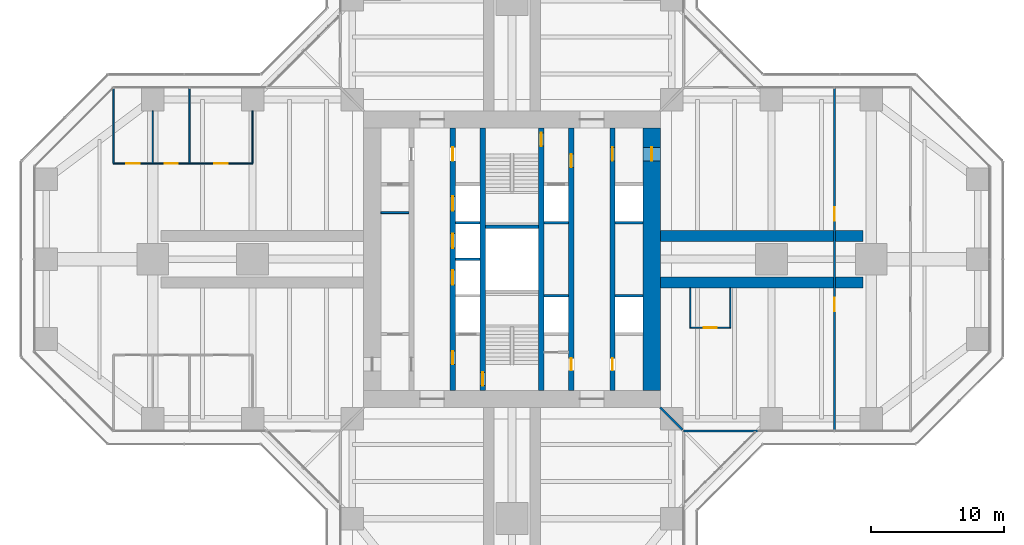
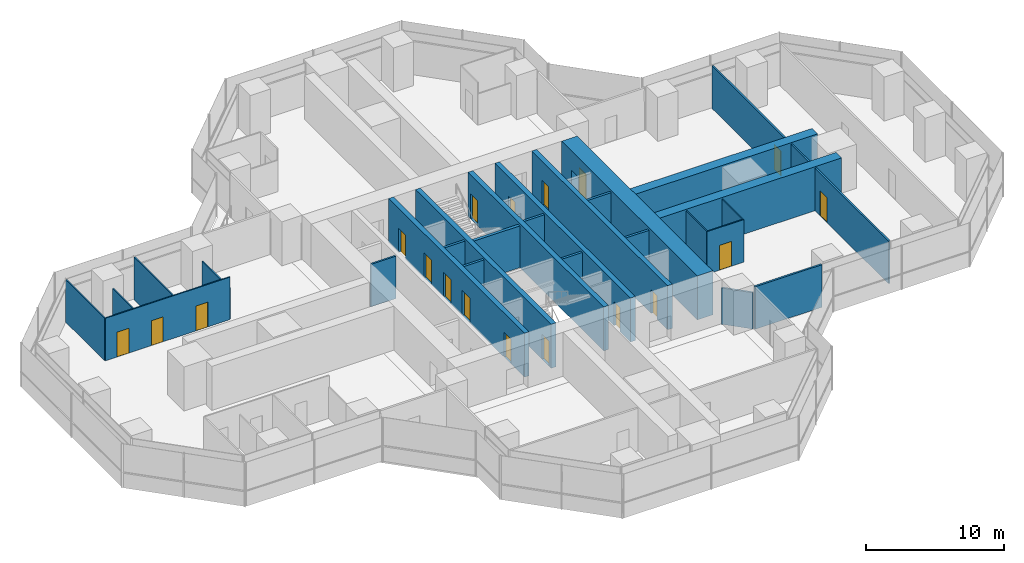
# One storey, part 16 of 20: 27 walls, 18 doors, 18 openings.
"""IFC4 building model written with IfcOpenShell, lengths in metres."""

from ifc_helpers import new_model, si_unit, direction, frame, frame_2d, origin, place, context, subcontext, project, spatial, rectangle, extrude, material, layer, layer_set, type_object, element, fill, save


model = new_model("IFC4")

# Units and contexts
model_context = context("Model", 3, precision=1e-05, world=origin(), true_north=direction((0.0, 1.0)))
body_context = subcontext(model_context, "Body", "Model", "MODEL_VIEW")
ifc_project = project(units=[si_unit("LENGTHUNIT", "METRE"), si_unit("AREAUNIT", "SQUARE_METRE"), si_unit("VOLUMEUNIT", "CUBIC_METRE"), si_unit("PLANEANGLEUNIT", "RADIAN"), si_unit("MASSUNIT", "GRAM", prefix="KILO")], contexts=[model_context])

# Site, building, storey
site_placement = place(None, origin())
site = spatial("IfcSite", under=ifc_project, at=site_placement, CompositionType="ELEMENT")
building_placement = place(site_placement, origin())
building = spatial("IfcBuilding", under=site, at=building_placement, Name="Mizan Broadcast Tower", CompositionType="ELEMENT")
storey_placement = place(building_placement, frame((0.0, 0.0, 174.89990234375)))
storey = spatial("IfcBuildingStorey", under=building, at=storey_placement, Name="L40", CompositionType="ELEMENT", Elevation=174.89990234375)

# Wall, openings, doors
ifc_material_1 = material(Name="Concrete C70/85", Category="concrete")
ifc_layer_1 = layer(ifc_material_1, 0.39990234375)
ifc_layer_set_1 = layer_set([ifc_layer_1], Name="Concrete C70/85")
wall_type_1 = type_object("IfcWallType", Name="CORE INTERNAL WALL 400", PredefinedType="SHEAR", material=ifc_layer_set_1)
wall_1_placement = place(storey_placement, frame((7.550048828125, 9.85009765625, 0.0), z_axis=(0.0, 0.0, 1.0), x_axis=(0.0, -1.0, 0.0)))
wall_1 = element("IfcWall", 1, at=wall_1_placement, inside=storey, type_object=wall_type_1, Name="Core wall CORE/XW1E", PredefinedType="SHEAR", context=body_context, shape_type="SweptSolid", body=[
    extrude(rectangle(XDim=19.7001953125, YDim=0.39990234375, at=frame_2d((9.85009765625, 0.0))), origin(), (0.0, 0.0, 1.0), 3.900146484375),
])
opening_1_placement = place(wall_1_placement, frame((1.449951171875, 0.0, 0.0)))
opening_1 = element("IfcOpeningElement", 2, at=opening_1_placement, cuts=wall_1, Name="Opening D10F", PredefinedType="OPENING", context=body_context, shape_type="SweptSolid", body=[
    extrude(rectangle(XDim=1.0, YDim=2.199951171875, at=frame_2d((0.5, 1.10009765625))), frame((0.0, 0.2099609375, 0.0), z_axis=(0.0, -1.0, 0.0), x_axis=(1.0, 0.0, 0.0)), (0.0, 0.0, 1.0), 0.419921875),
])
opening_2_placement = place(wall_1_placement, frame((17.300048828125, 0.0, 0.0)))
opening_2 = element("IfcOpeningElement", 3, at=opening_2_placement, cuts=wall_1, Name="Opening D09", PredefinedType="OPENING", context=body_context, shape_type="SweptSolid", body=[
    extrude(rectangle(XDim=0.89990234375, YDim=2.10009765625, at=frame_2d((0.449951171875, 1.050048828125))), frame((0.0, 0.2099609375, 0.0), z_axis=(0.0, -1.0, 0.0), x_axis=(1.0, 0.0, 0.0)), (0.0, 0.0, 1.0), 0.419921875),
])
ifc_material_2 = material(Name="Steel door leaf in steel frame", Category="steel")
door_type_1 = type_object("IfcDoorType", Name="FIRE DOOR 1000 FD90", OperationType="SINGLE_SWING_LEFT", PredefinedType="DOOR", material=ifc_material_2)
door_1_placement = place(opening_1_placement, origin())
door_1 = element("IfcDoor", 4, at=door_1_placement, inside=storey, type_object=door_type_1, Name="East core passage door", OperationType="SINGLE_SWING_LEFT", OverallHeight=2.199951171875, OverallWidth=1.0, PredefinedType="DOOR", context=body_context, shape_type="SweptSolid", body=[
    extrude(rectangle(XDim=1.0, YDim=2.199951171875, at=frame_2d((0.5, 1.10009765625))), frame((0.0, 0.02490234375, 0.0), z_axis=(0.0, -1.0, 0.0), x_axis=(1.0, 0.0, 0.0)), (0.0, 0.0, 1.0), 0.050048828125),
])
fill(opening_1, door_1)
ifc_material_3 = material(Name="Timber door leaf in aluminium frame", Category="wood")
door_type_2 = type_object("IfcDoorType", Name="TOILET DOOR 900", OperationType="SINGLE_SWING_LEFT", PredefinedType="DOOR", material=ifc_material_3)
door_2_placement = place(opening_2_placement, origin())
door_2 = element("IfcDoor", 5, at=door_2_placement, inside=storey, type_object=door_type_2, Name="Female WC door", OperationType="SINGLE_SWING_RIGHT", OverallHeight=2.10009765625, OverallWidth=0.89990234375, PredefinedType="DOOR", context=body_context, shape_type="SweptSolid", body=[
    extrude(rectangle(XDim=0.89990234375, YDim=2.10009765625, at=frame_2d((0.449951171875, 1.050048828125))), frame((0.0, 0.02490234375, 0.0), z_axis=(0.0, -1.0, 0.0), x_axis=(1.0, 0.0, 0.0)), (0.0, 0.0, 1.0), 0.050048828125),
])
fill(opening_2, door_2)

wall_2_placement = place(storey_placement, frame((-4.449951171875, -9.85009765625, 0.0), z_axis=(0.0, 0.0, 1.0), x_axis=(0.0, 1.0, 0.0)))
wall_2 = element("IfcWall", 6, at=wall_2_placement, inside=storey, type_object=wall_type_1, Name="Core wall CORE/XWH", PredefinedType="SHEAR", context=body_context, shape_type="SweptSolid", body=[
    extrude(rectangle(XDim=19.7001953125, YDim=0.39990234375, at=frame_2d((9.85009765625, 0.0))), origin(), (0.0, 0.0, 1.0), 3.900146484375),
])
opening_3_placement = place(wall_2_placement, frame((1.949951171875, 0.0, 0.0)))
opening_3 = element("IfcOpeningElement", 7, at=opening_3_placement, cuts=wall_2, Name="Opening D10F", PredefinedType="OPENING", context=body_context, shape_type="SweptSolid", body=[
    extrude(rectangle(XDim=1.0, YDim=2.199951171875, at=frame_2d((0.5, 1.10009765625))), frame((0.0, 0.2099609375, 0.0), z_axis=(0.0, -1.0, 0.0), x_axis=(1.0, 0.0, 0.0)), (0.0, 0.0, 1.0), 0.419921875),
])
opening_4_placement = place(wall_2_placement, frame((17.25, 0.0, 0.0)))
opening_4 = element("IfcOpeningElement", 8, at=opening_4_placement, cuts=wall_2, Name="Opening D10A", PredefinedType="OPENING", context=body_context, shape_type="SweptSolid", body=[
    extrude(rectangle(XDim=1.0, YDim=2.10009765625, at=frame_2d((0.5, 1.050048828125))), frame((0.0, 0.2099609375, 0.0), z_axis=(0.0, -1.0, 0.0), x_axis=(1.0, 0.0, 0.0)), (0.0, 0.0, 1.0), 0.419921875),
])
opening_5_placement = place(wall_2_placement, frame((7.925048828125, 0.0, 0.0)))
opening_5 = element("IfcOpeningElement", 9, at=opening_5_placement, cuts=wall_2, Name="Opening LD", PredefinedType="OPENING", context=body_context, shape_type="SweptSolid", body=[
    extrude(rectangle(XDim=1.10009765625, YDim=2.199951171875, at=frame_2d((0.550048828125, 1.10009765625))), frame((0.0, 0.2099609375, 0.0), z_axis=(0.0, -1.0, 0.0), x_axis=(1.0, 0.0, 0.0)), (0.0, 0.0, 1.0), 0.419921875),
])
opening_6_placement = place(wall_2_placement, frame((10.675048828125, 0.0, 0.0)))
opening_6 = element("IfcOpeningElement", 10, at=opening_6_placement, cuts=wall_2, Name="Opening LD", PredefinedType="OPENING", context=body_context, shape_type="SweptSolid", body=[
    extrude(rectangle(XDim=1.10009765625, YDim=2.199951171875, at=frame_2d((0.550048828125, 1.10009765625))), frame((0.0, 0.2099609375, 0.0), z_axis=(0.0, -1.0, 0.0), x_axis=(1.0, 0.0, 0.0)), (0.0, 0.0, 1.0), 0.419921875),
])
opening_7_placement = place(wall_2_placement, frame((13.47509765625, 0.0, 0.0)))
opening_7 = element("IfcOpeningElement", 11, at=opening_7_placement, cuts=wall_2, Name="Opening LD", PredefinedType="OPENING", context=body_context, shape_type="SweptSolid", body=[
    extrude(rectangle(XDim=1.10009765625, YDim=2.199951171875, at=frame_2d((0.550048828125, 1.10009765625))), frame((0.0, 0.2099609375, 0.0), z_axis=(0.0, -1.0, 0.0), x_axis=(1.0, 0.0, 0.0)), (0.0, 0.0, 1.0), 0.419921875),
])
ifc_material_4 = material(Name="Timber door leaf in aluminium frame", Category="wood")
door_type_3 = type_object("IfcDoorType", Name="ACCESSIBLE WC DOOR 1000", OperationType="SLIDING_TO_LEFT", PredefinedType="DOOR", material=ifc_material_4)
door_3_placement = place(opening_4_placement, origin())
door_3 = element("IfcDoor", 12, at=door_3_placement, inside=storey, type_object=door_type_3, Name="Accessible WC door", OperationType="SLIDING_TO_LEFT", OverallHeight=2.10009765625, OverallWidth=1.0, PredefinedType="DOOR", context=body_context, shape_type="SweptSolid", body=[
    extrude(rectangle(XDim=1.0, YDim=2.10009765625, at=frame_2d((0.5, 1.050048828125))), frame((0.0, 0.02490234375, 0.0), z_axis=(0.0, -1.0, 0.0), x_axis=(1.0, 0.0, 0.0)), (0.0, 0.0, 1.0), 0.050048828125),
])
fill(opening_4, door_3)
door_4_placement = place(opening_3_placement, origin())
door_4 = element("IfcDoor", 13, at=door_4_placement, inside=storey, type_object=door_type_1, Name="Firefighting lobby A door", OperationType="SINGLE_SWING_LEFT", OverallHeight=2.199951171875, OverallWidth=1.0, PredefinedType="DOOR", context=body_context, shape_type="SweptSolid", body=[
    extrude(rectangle(XDim=1.0, YDim=2.199951171875, at=frame_2d((0.5, 1.10009765625))), frame((0.0, 0.02490234375, 0.0), z_axis=(0.0, -1.0, 0.0), x_axis=(1.0, 0.0, 0.0)), (0.0, 0.0, 1.0), 0.050048828125),
])
fill(opening_3, door_4)
ifc_material_5 = material(Name="Steel door leaf in steel frame", Category="steel")
door_type_4 = type_object("IfcDoorType", Name="LIFT LANDING DOOR 1100", OperationType="SLIDING_TO_LEFT", PredefinedType="DOOR", material=ifc_material_5)
door_5_placement = place(opening_5_placement, origin())
door_5 = element("IfcDoor", 14, at=door_5_placement, inside=storey, type_object=door_type_4, Name="Landing door LB1", OperationType="SLIDING_TO_LEFT", OverallHeight=2.199951171875, OverallWidth=1.10009765625, PredefinedType="DOOR", context=body_context, shape_type="SweptSolid", body=[
    extrude(rectangle(XDim=1.10009765625, YDim=2.199951171875, at=frame_2d((0.550048828125, 1.10009765625))), frame((0.0, 0.02490234375, 0.0), z_axis=(0.0, -1.0, 0.0), x_axis=(1.0, 0.0, 0.0)), (0.0, 0.0, 1.0), 0.050048828125),
])
fill(opening_5, door_5)
door_6_placement = place(opening_6_placement, origin())
door_6 = element("IfcDoor", 15, at=door_6_placement, inside=storey, type_object=door_type_4, Name="Landing door LB2", OperationType="SLIDING_TO_LEFT", OverallHeight=2.199951171875, OverallWidth=1.10009765625, PredefinedType="DOOR", context=body_context, shape_type="SweptSolid", body=[
    extrude(rectangle(XDim=1.10009765625, YDim=2.199951171875, at=frame_2d((0.550048828125, 1.10009765625))), frame((0.0, 0.02490234375, 0.0), z_axis=(0.0, -1.0, 0.0), x_axis=(1.0, 0.0, 0.0)), (0.0, 0.0, 1.0), 0.050048828125),
])
fill(opening_6, door_6)
door_7_placement = place(opening_7_placement, origin())
door_7 = element("IfcDoor", 16, at=door_7_placement, inside=storey, type_object=door_type_4, Name="Landing door LB3", OperationType="SLIDING_TO_LEFT", OverallHeight=2.199951171875, OverallWidth=1.10009765625, PredefinedType="DOOR", context=body_context, shape_type="SweptSolid", body=[
    extrude(rectangle(XDim=1.10009765625, YDim=2.199951171875, at=frame_2d((0.550048828125, 1.10009765625))), frame((0.0, 0.02490234375, 0.0), z_axis=(0.0, -1.0, 0.0), x_axis=(1.0, 0.0, 0.0)), (0.0, 0.0, 1.0), 0.050048828125),
])
fill(opening_7, door_7)

wall_3_placement = place(storey_placement, frame((4.449951171875, 9.85009765625, 0.0), z_axis=(0.0, 0.0, 1.0), x_axis=(0.0, -1.0, 0.0)))
wall_3 = element("IfcWall", 17, at=wall_3_placement, inside=storey, type_object=wall_type_1, Name="Core wall CORE/XWHE", PredefinedType="SHEAR", context=body_context, shape_type="SweptSolid", body=[
    extrude(rectangle(XDim=19.7001953125, YDim=0.39990234375, at=frame_2d((9.85009765625, 0.0))), origin(), (0.0, 0.0, 1.0), 3.900146484375),
])
opening_8_placement = place(wall_3_placement, frame((1.949951171875, 0.0, 0.0)))
opening_8 = element("IfcOpeningElement", 18, at=opening_8_placement, cuts=wall_3, Name="Opening D10F", PredefinedType="OPENING", context=body_context, shape_type="SweptSolid", body=[
    extrude(rectangle(XDim=1.0, YDim=2.199951171875, at=frame_2d((0.5, 1.10009765625))), frame((0.0, 0.2099609375, 0.0), z_axis=(0.0, -1.0, 0.0), x_axis=(1.0, 0.0, 0.0)), (0.0, 0.0, 1.0), 0.419921875),
])
opening_9_placement = place(wall_3_placement, frame((17.300048828125, 0.0, 0.0)))
opening_9 = element("IfcOpeningElement", 19, at=opening_9_placement, cuts=wall_3, Name="Opening D09", PredefinedType="OPENING", context=body_context, shape_type="SweptSolid", body=[
    extrude(rectangle(XDim=0.89990234375, YDim=2.10009765625, at=frame_2d((0.449951171875, 1.050048828125))), frame((0.0, 0.2099609375, 0.0), z_axis=(0.0, -1.0, 0.0), x_axis=(1.0, 0.0, 0.0)), (0.0, 0.0, 1.0), 0.419921875),
])
door_8_placement = place(opening_8_placement, origin())
door_8 = element("IfcDoor", 20, at=door_8_placement, inside=storey, type_object=door_type_1, Name="Firefighting lobby B door", OperationType="SINGLE_SWING_LEFT", OverallHeight=2.199951171875, OverallWidth=1.0, PredefinedType="DOOR", context=body_context, shape_type="SweptSolid", body=[
    extrude(rectangle(XDim=1.0, YDim=2.199951171875, at=frame_2d((0.5, 1.10009765625))), frame((0.0, 0.02490234375, 0.0), z_axis=(0.0, -1.0, 0.0), x_axis=(1.0, 0.0, 0.0)), (0.0, 0.0, 1.0), 0.050048828125),
])
fill(opening_8, door_8)
door_9_placement = place(opening_9_placement, origin())
door_9 = element("IfcDoor", 21, at=door_9_placement, inside=storey, type_object=door_type_2, Name="Cleaner's store door", OperationType="SINGLE_SWING_RIGHT", OverallHeight=2.10009765625, OverallWidth=0.89990234375, PredefinedType="DOOR", context=body_context, shape_type="SweptSolid", body=[
    extrude(rectangle(XDim=0.89990234375, YDim=2.10009765625, at=frame_2d((0.449951171875, 1.050048828125))), frame((0.0, 0.02490234375, 0.0), z_axis=(0.0, -1.0, 0.0), x_axis=(1.0, 0.0, 0.0)), (0.0, 0.0, 1.0), 0.050048828125),
])
fill(opening_9, door_9)

# Wall, opening, door
wall_4_placement = place(storey_placement, frame((-2.199951171875, -9.85009765625, 0.0), z_axis=(0.0, 0.0, 1.0), x_axis=(0.0, 1.0, 0.0)))
wall_4 = element("IfcWall", 22, at=wall_4_placement, inside=storey, type_object=wall_type_1, Name="Core wall CORE/XW2", PredefinedType="SHEAR", context=body_context, shape_type="SweptSolid", body=[
    extrude(rectangle(XDim=19.7001953125, YDim=0.39990234375, at=frame_2d((9.85009765625, 0.0))), origin(), (0.0, 0.0, 1.0), 3.900146484375),
])
opening_10_placement = place(wall_4_placement, frame((0.35009765625, 0.0, 0.0)))
opening_10 = element("IfcOpeningElement", 23, at=opening_10_placement, cuts=wall_4, Name="Opening D10S", PredefinedType="OPENING", context=body_context, shape_type="SweptSolid", body=[
    extrude(rectangle(XDim=1.0, YDim=2.199951171875, at=frame_2d((0.5, 1.10009765625))), frame((0.0, 0.2099609375, 0.0), z_axis=(0.0, -1.0, 0.0), x_axis=(1.0, 0.0, 0.0)), (0.0, 0.0, 1.0), 0.419921875),
])
ifc_material_6 = material(Name="Steel door leaf in steel frame", Category="steel")
door_type_5 = type_object("IfcDoorType", Name="STAIR DOOR 1000 FD90S", OperationType="SINGLE_SWING_RIGHT", PredefinedType="DOOR", material=ifc_material_6)
door_10_placement = place(opening_10_placement, origin())
door_10 = element("IfcDoor", 24, at=door_10_placement, inside=storey, type_object=door_type_5, Name="Stair A door", OperationType="SINGLE_SWING_RIGHT", OverallHeight=2.199951171875, OverallWidth=1.0, PredefinedType="DOOR", context=body_context, shape_type="SweptSolid", body=[
    extrude(rectangle(XDim=1.0, YDim=2.199951171875, at=frame_2d((0.5, 1.10009765625))), frame((0.0, 0.02490234375, 0.0), z_axis=(0.0, -1.0, 0.0), x_axis=(1.0, 0.0, 0.0)), (0.0, 0.0, 1.0), 0.050048828125),
])
fill(opening_10, door_10)

wall_5_placement = place(storey_placement, frame((2.199951171875, 9.85009765625, 0.0), z_axis=(0.0, 0.0, 1.0), x_axis=(0.0, -1.0, 0.0)))
wall_5 = element("IfcWall", 25, at=wall_5_placement, inside=storey, type_object=wall_type_1, Name="Core wall CORE/XW2E", PredefinedType="SHEAR", context=body_context, shape_type="SweptSolid", body=[
    extrude(rectangle(XDim=19.7001953125, YDim=0.39990234375, at=frame_2d((9.85009765625, 0.0))), origin(), (0.0, 0.0, 1.0), 3.900146484375),
])
opening_11_placement = place(wall_5_placement, frame((0.35009765625, 0.0, 0.0)))
opening_11 = element("IfcOpeningElement", 26, at=opening_11_placement, cuts=wall_5, Name="Opening D10S", PredefinedType="OPENING", context=body_context, shape_type="SweptSolid", body=[
    extrude(rectangle(XDim=1.0, YDim=2.199951171875, at=frame_2d((0.5, 1.10009765625))), frame((0.0, 0.2099609375, 0.0), z_axis=(0.0, -1.0, 0.0), x_axis=(1.0, 0.0, 0.0)), (0.0, 0.0, 1.0), 0.419921875),
])
door_11_placement = place(opening_11_placement, origin())
door_11 = element("IfcDoor", 27, at=door_11_placement, inside=storey, type_object=door_type_5, Name="Stair B door", OperationType="SINGLE_SWING_RIGHT", OverallHeight=2.199951171875, OverallWidth=1.0, PredefinedType="DOOR", context=body_context, shape_type="SweptSolid", body=[
    extrude(rectangle(XDim=1.0, YDim=2.199951171875, at=frame_2d((0.5, 1.10009765625))), frame((0.0, 0.02490234375, 0.0), z_axis=(0.0, -1.0, 0.0), x_axis=(1.0, 0.0, 0.0)), (0.0, 0.0, 1.0), 0.050048828125),
])
fill(opening_11, door_11)

# Wall
ifc_material_7 = material(Name="Concrete blockwork", Category="masonry")
ifc_layer_2 = layer(ifc_material_7, 0.14990234375)
ifc_layer_set_2 = layer_set([ifc_layer_2], Name="Concrete blockwork")
wall_type_2 = type_object("IfcWallType", Name="CORE PARTITION 150", PredefinedType="SOLIDWALL", material=ifc_layer_set_2)
wall_6_placement = place(storey_placement, frame((-9.85009765625, 3.5, 0.0), z_axis=(0.0, 0.0, 1.0), x_axis=(1.0, 0.0, 0.0)))
element("IfcWall", 28, at=wall_6_placement, inside=storey, type_object=wall_type_2, Name="Core partition CORE/XP1", PredefinedType="SOLIDWALL", context=body_context, shape_type="SweptSolid", body=[
    extrude(rectangle(XDim=2.10009765625, YDim=0.14990234375, at=frame_2d((1.050048828125, 0.0))), origin(), (0.0, 0.0, 1.0), 3.77001953125),
])

# Wall, opening, door
ifc_material_8 = material(Name="Concrete C70/85", Category="concrete")
ifc_layer_3 = layer(ifc_material_8, 1.300048828125)
ifc_layer_set_3 = layer_set([ifc_layer_3], Name="Concrete C70/85")
wall_type_3 = type_object("IfcWallType", Name="CORE WALL 1300", PredefinedType="SHEAR", material=ifc_layer_set_3)
wall_7_placement = place(storey_placement, frame((10.5, -9.85009765625, 0.0), z_axis=(0.0, 0.0, 1.0), x_axis=(0.0, 1.0, 0.0)))
wall_7 = element("IfcWall", 29, at=wall_7_placement, inside=storey, type_object=wall_type_3, Name="Core wall E L40", PredefinedType="SHEAR", context=body_context, shape_type="SweptSolid", body=[
    extrude(rectangle(XDim=19.7001953125, YDim=1.300048828125, at=frame_2d((9.85009765625, 0.0))), origin(), (0.0, 0.0, 1.0), 3.900146484375),
])
opening_12_placement = place(wall_7_placement, frame((17.25, 0.0, 0.0)))
opening_12 = element("IfcOpeningElement", 30, at=opening_12_placement, cuts=wall_7, Name="Opening D10F", PredefinedType="OPENING", context=body_context, shape_type="SweptSolid", body=[
    extrude(rectangle(XDim=1.0, YDim=2.199951171875, at=frame_2d((0.5, 1.10009765625))), frame((0.0, 0.659912109375, 0.0), z_axis=(0.0, -1.0, 0.0), x_axis=(1.0, 0.0, 0.0)), (0.0, 0.0, 1.0), 1.320068359375),
])
door_12_placement = place(opening_12_placement, origin())
door_12 = element("IfcDoor", 31, at=door_12_placement, inside=storey, type_object=door_type_1, Name="East core passage arm door", OperationType="SINGLE_SWING_RIGHT", OverallHeight=2.199951171875, OverallWidth=1.0, PredefinedType="DOOR", context=body_context, shape_type="SweptSolid", body=[
    extrude(rectangle(XDim=1.0, YDim=2.199951171875, at=frame_2d((0.5, 1.10009765625))), frame((0.0, 0.02490234375, 0.0), z_axis=(0.0, -1.0, 0.0), x_axis=(1.0, 0.0, 0.0)), (0.0, 0.0, 1.0), 0.050048828125),
])
fill(opening_12, door_12)

# Walls
ifc_material_9 = material(Name="Aluminium framed glazed screen", Category="aluminium")
ifc_layer_4 = layer(ifc_material_9, 0.159912109375)
ifc_layer_set_4 = layer_set([ifc_layer_4], Name="Aluminium framed glazed screen")
wall_type_4 = type_object("IfcWallType", Name="GLAZED SCREEN WALL 160", PredefinedType="SOLIDWALL", material=ifc_layer_set_4)
wall_8_placement = place(storey_placement, frame((12.89990234375, -12.89990234375, 0.0), z_axis=(0.0, 0.0, 1.0), x_axis=(1.0, 0.0, 0.0)))
element("IfcWall", 32, at=wall_8_placement, inside=storey, type_object=wall_type_4, Name="Winter garden screen L40 E", PredefinedType="SOLIDWALL", context=body_context, shape_type="SweptSolid", body=[
    extrude(rectangle(XDim=5.60009765625, YDim=0.159912109375, at=frame_2d((2.800048828125, 0.0))), origin(), (0.0, 0.0, 1.0), 3.77001953125),
])
ifc_material_10 = material(Name="Concrete blockwork", Category="masonry")
ifc_layer_5 = layer(ifc_material_10, 0.199951171875)
ifc_layer_set_5 = layer_set([ifc_layer_5], Name="Concrete blockwork")
wall_type_5 = type_object("IfcWallType", Name="LIFT SHAFT WALL 200", PredefinedType="SOLIDWALL", material=ifc_layer_set_5)
wall_9_placement = place(storey_placement, frame((2.39990234375, -2.75, 0.0), z_axis=(0.0, 0.0, 1.0), x_axis=(1.0, 0.0, 0.0)))
element("IfcWall", 33, at=wall_9_placement, inside=storey, type_object=wall_type_5, Name="Lift shaft wall CORE/SE2-1", PredefinedType="SOLIDWALL", context=body_context, shape_type="SweptSolid", body=[
    extrude(rectangle(XDim=1.85009765625, YDim=0.199951171875, at=frame_2d((0.925048828125, 0.0))), origin(), (0.0, 0.0, 1.0), 3.7001953125),
])
wall_10_placement = place(storey_placement, frame((7.75, -2.75, 0.0), z_axis=(0.0, 0.0, 1.0), x_axis=(1.0, 0.0, 0.0)))
element("IfcWall", 34, at=wall_10_placement, inside=storey, type_object=wall_type_5, Name="Lift shaft wall CORE/SE1-1", PredefinedType="SOLIDWALL", context=body_context, shape_type="SweptSolid", body=[
    extrude(rectangle(XDim=2.10009765625, YDim=0.199951171875, at=frame_2d((1.050048828125, 0.0))), origin(), (0.0, 0.0, 1.0), 3.7001953125),
])
for number, where, z_axis, x_axis, name in (
    (35, (-4.25, 0.0, 0.0), (0.0, 0.0, 1.0), (1.0, 0.0, 0.0), "Lift shaft wall CORE/SW2-2"),
    (36, (-4.25, 2.75, 0.0), (0.0, 0.0, 1.0), (1.0, 0.0, 0.0), "Lift shaft wall CORE/SW2-3"),
    (37, (2.39990234375, 2.75, 0.0), (0.0, 0.0, 1.0), (1.0, 0.0, 0.0), "Lift shaft wall CORE/SE2-3"),
):
    element("IfcWall", number, at=place(storey_placement, frame(where, z_axis=z_axis, x_axis=x_axis)), inside=storey, type_object=wall_type_5, Name=name, PredefinedType="SOLIDWALL", context=body_context, shape_type="SweptSolid", body=[
        extrude(rectangle(XDim=1.85009765625, YDim=0.199951171875, at=frame_2d((0.925048828125, 0.0))), origin(), (0.0, 0.0, 1.0), 3.7001953125),
    ])
wall_11_placement = place(storey_placement, frame((7.75, 2.75, 0.0), z_axis=(0.0, 0.0, 1.0), x_axis=(1.0, 0.0, 0.0)))
element("IfcWall", 38, at=wall_11_placement, inside=storey, type_object=wall_type_5, Name="Lift shaft wall CORE/SE1-3", PredefinedType="SOLIDWALL", context=body_context, shape_type="SweptSolid", body=[
    extrude(rectangle(XDim=2.10009765625, YDim=0.199951171875, at=frame_2d((1.050048828125, 0.0))), origin(), (0.0, 0.0, 1.0), 3.7001953125),
])
ifc_material_11 = material(Name="Concrete blockwork", Category="masonry")
ifc_layer_6 = layer(ifc_material_11, 0.25)
ifc_layer_set_6 = layer_set([ifc_layer_6], Name="Concrete blockwork")
wall_type_6 = type_object("IfcWallType", Name="LOBBY ENCLOSURE WALL 250", PredefinedType="SOLIDWALL", material=ifc_layer_set_6)
wall_12_placement = place(storey_placement, frame((-2.0, 2.449951171875, 0.0), z_axis=(0.0, 0.0, 1.0), x_axis=(1.0, 0.0, 0.0)))
element("IfcWall", 39, at=wall_12_placement, inside=storey, type_object=wall_type_6, Name="Lobby enclosure wall CORE/STB", PredefinedType="SOLIDWALL", context=body_context, shape_type="SweptSolid", body=[
    extrude(rectangle(XDim=4.0, YDim=0.25, at=frame_2d((2.0, 0.0))), origin(), (0.0, 0.0, 1.0), 3.7001953125),
])

# Wall, openings, doors
ifc_material_12 = material(Name="Gypsum board on steel studs", Category="steel")
ifc_layer_7 = layer(ifc_material_12, 0.14990234375)
ifc_layer_set_7 = layer_set([ifc_layer_7], Name="Gypsum board on steel studs")
wall_type_7 = type_object("IfcWallType", Name="PARTITION 150", PredefinedType="PARTITIONING", material=ifc_layer_set_7)
wall_13_placement = place(storey_placement, frame((24.22900390625, -12.820068359375, 0.0), z_axis=(0.0, 0.0, 1.0), x_axis=(0.0, 1.0, 0.0)))
wall_13 = element("IfcWall", 40, at=wall_13_placement, inside=storey, type_object=wall_type_7, Name="Partition PT/EX1", PredefinedType="PARTITIONING", context=body_context, shape_type="SweptSolid", body=[
    extrude(rectangle(XDim=25.64013671875, YDim=0.14990234375, at=frame_2d((12.820068359375, 0.0))), origin(), (0.0, 0.0, 1.0), 3.77001953125),
])
opening_13_placement = place(wall_13_placement, frame((15.719970703125, 0.0, 0.0)))
opening_13 = element("IfcOpeningElement", 41, at=opening_13_placement, cuts=wall_13, Name="Opening D10", PredefinedType="OPENING", context=body_context, shape_type="SweptSolid", body=[
    extrude(rectangle(XDim=1.0, YDim=2.199951171875, at=frame_2d((0.5, 1.10009765625))), frame((0.0, 0.0849609375, 0.0), z_axis=(0.0, -1.0, 0.0), x_axis=(1.0, 0.0, 0.0)), (0.0, 0.0, 1.0), 0.169921875),
])
opening_14_placement = place(wall_13_placement, frame((8.919921875, 0.0, 0.0)))
opening_14 = element("IfcOpeningElement", 42, at=opening_14_placement, cuts=wall_13, Name="Opening D10", PredefinedType="OPENING", context=body_context, shape_type="SweptSolid", body=[
    extrude(rectangle(XDim=1.0, YDim=2.199951171875, at=frame_2d((0.5, 1.10009765625))), frame((0.0, 0.0849609375, 0.0), z_axis=(0.0, -1.0, 0.0), x_axis=(1.0, 0.0, 0.0)), (0.0, 0.0, 1.0), 0.169921875),
])
ifc_material_13 = material(Name="Timber door leaf in aluminium frame", Category="wood")
door_type_6 = type_object("IfcDoorType", Name="ROOM DOOR 1000", OperationType="SINGLE_SWING_LEFT", PredefinedType="DOOR", material=ifc_material_13)
door_13_placement = place(opening_13_placement, origin())
door_13 = element("IfcDoor", 43, at=door_13_placement, inside=storey, type_object=door_type_6, Name="Press briefing room door", OperationType="SINGLE_SWING_RIGHT", OverallHeight=2.199951171875, OverallWidth=1.0, PredefinedType="DOOR", context=body_context, shape_type="SweptSolid", body=[
    extrude(rectangle(XDim=1.0, YDim=2.199951171875, at=frame_2d((0.5, 1.10009765625))), frame((0.0, 0.02490234375, 0.0), z_axis=(0.0, -1.0, 0.0), x_axis=(1.0, 0.0, 0.0)), (0.0, 0.0, 1.0), 0.050048828125),
])
fill(opening_13, door_13)
door_14_placement = place(opening_14_placement, origin())
door_14 = element("IfcDoor", 44, at=door_14_placement, inside=storey, type_object=door_type_6, Name="Press briefing room door", OperationType="SINGLE_SWING_LEFT", OverallHeight=2.199951171875, OverallWidth=1.0, PredefinedType="DOOR", context=body_context, shape_type="SweptSolid", body=[
    extrude(rectangle(XDim=1.0, YDim=2.199951171875, at=frame_2d((0.5, 1.10009765625))), frame((0.0, 0.02490234375, 0.0), z_axis=(0.0, -1.0, 0.0), x_axis=(1.0, 0.0, 0.0)), (0.0, 0.0, 1.0), 0.050048828125),
])
fill(opening_14, door_14)

# Walls
wall_14_placement = place(storey_placement, frame((11.14990234375, -11.14990234375, 0.0), z_axis=(0.0, 0.0, 1.0), x_axis=(0.707106781187, -0.707106781187, 0.0)))
element("IfcWall", 45, at=wall_14_placement, inside=storey, type_object=wall_type_7, Name="Partition PT/DGES", PredefinedType="PARTITIONING", context=body_context, shape_type="SweptSolid", body=[
    extrude(rectangle(XDim=2.362060546875, YDim=0.14990234375, at=frame_2d((1.18115234375, 0.0))), origin(), (0.0, 0.0, 1.0), 3.22021484375),
])
ifc_material_14 = material(Name="Glazed aluminium partition on aluminium track", Category="aluminium")
ifc_layer_8 = layer(ifc_material_14, 0.10009765625)
ifc_layer_set_8 = layer_set([ifc_layer_8], Name="Glazed aluminium partition on aluminium track")
wall_type_8 = type_object("IfcWallType", Name="PARTITION GLAZED OFFICE FRONT 100", PredefinedType="PARTITIONING", material=ifc_layer_set_8)
for number, where, z_axis, x_axis, name in (
    (46, (13.39990234375, -2.14990234375, 0.0), (0.0, 0.0, 1.0), (0.0, -1.0, 0.0), "Glazed office front PT/EKN0a"),
    (47, (16.39990234375, -2.14990234375, 0.0), (0.0, 0.0, 1.0), (0.0, -1.0, 0.0), "Glazed office front PT/EKN0b"),
):
    element("IfcWall", number, at=place(storey_placement, frame(where, z_axis=z_axis, x_axis=x_axis)), inside=storey, type_object=wall_type_8, Name=name, PredefinedType="PARTITIONING", context=body_context, shape_type="SweptSolid", body=[
        extrude(rectangle(XDim=3.0, YDim=0.10009765625, at=frame_2d((1.5, 0.0))), origin(), (0.0, 0.0, 1.0), 3.77001953125),
    ])

# Wall, opening, door
wall_15_placement = place(storey_placement, frame((13.35009765625, -5.14990234375, 0.0), z_axis=(0.0, 0.0, 1.0), x_axis=(1.0, 0.0, 0.0)))
wall_15 = element("IfcWall", 48, at=wall_15_placement, inside=storey, type_object=wall_type_8, Name="Glazed office front PT/EKN0f", PredefinedType="PARTITIONING", context=body_context, shape_type="SweptSolid", body=[
    extrude(rectangle(XDim=3.099853515625, YDim=0.10009765625, at=frame_2d((1.5498046875, 0.0))), origin(), (0.0, 0.0, 1.0), 3.77001953125),
])
opening_15_placement = place(wall_15_placement, frame((1.050048828125, 0.0, 0.0)))
opening_15 = element("IfcOpeningElement", 49, at=opening_15_placement, cuts=wall_15, Name="Opening D10O", PredefinedType="OPENING", context=body_context, shape_type="SweptSolid", body=[
    extrude(rectangle(XDim=1.0, YDim=2.199951171875, at=frame_2d((0.5, 1.10009765625))), frame((0.0, 0.06005859375, 0.0), z_axis=(0.0, -1.0, 0.0), x_axis=(1.0, 0.0, 0.0)), (0.0, 0.0, 1.0), 0.1201171875),
])
ifc_material_15 = material(Name="Timber door leaf in aluminium frame", Category="wood")
door_type_7 = type_object("IfcDoorType", Name="OFFICE DOOR 1000 GLAZED", OperationType="SINGLE_SWING_LEFT", PredefinedType="DOOR", material=ifc_material_15)
door_15_placement = place(opening_15_placement, origin())
door_15 = element("IfcDoor", 50, at=door_15_placement, inside=storey, type_object=door_type_7, Name="Pantry door", OperationType="SINGLE_SWING_LEFT", OverallHeight=2.199951171875, OverallWidth=1.0, PredefinedType="DOOR", context=body_context, shape_type="SweptSolid", body=[
    extrude(rectangle(XDim=1.0, YDim=2.199951171875, at=frame_2d((0.5, 1.10009765625))), frame((0.0, 0.02490234375, 0.0), z_axis=(0.0, -1.0, 0.0), x_axis=(1.0, 0.0, 0.0)), (0.0, 0.0, 1.0), 0.050048828125),
])
fill(opening_15, door_15)

# Wall, openings, doors
wall_16_placement = place(storey_placement, frame((-19.5, 7.199951171875, 0.0), z_axis=(0.0, 0.0, 1.0), x_axis=(-1.0, 0.0, 0.0)))
wall_16 = element("IfcWall", 51, at=wall_16_placement, inside=storey, type_object=wall_type_8, Name="Glazed office front PT/WCN0", PredefinedType="PARTITIONING", context=body_context, shape_type="SweptSolid", body=[
    extrude(rectangle(XDim=10.458984375, YDim=0.10009765625, at=frame_2d((5.2294921875, 0.0))), origin(), (0.0, 0.0, 1.0), 3.77001953125),
])
opening_16_placement = place(wall_16_placement, frame((1.864501953125, 0.0, 0.0)))
opening_16 = element("IfcOpeningElement", 52, at=opening_16_placement, cuts=wall_16, Name="Opening D10O", PredefinedType="OPENING", context=body_context, shape_type="SweptSolid", body=[
    extrude(rectangle(XDim=1.0, YDim=2.199951171875, at=frame_2d((0.5, 1.10009765625))), frame((0.0, 0.06005859375, 0.0), z_axis=(0.0, -1.0, 0.0), x_axis=(1.0, 0.0, 0.0)), (0.0, 0.0, 1.0), 0.1201171875),
])
opening_17_placement = place(wall_16_placement, frame((5.614501953125, 0.0, 0.0)))
opening_17 = element("IfcOpeningElement", 53, at=opening_17_placement, cuts=wall_16, Name="Opening D10O", PredefinedType="OPENING", context=body_context, shape_type="SweptSolid", body=[
    extrude(rectangle(XDim=1.0, YDim=2.199951171875, at=frame_2d((0.5, 1.10009765625))), frame((0.0, 0.06005859375, 0.0), z_axis=(0.0, -1.0, 0.0), x_axis=(1.0, 0.0, 0.0)), (0.0, 0.0, 1.0), 0.1201171875),
])
opening_18_placement = place(wall_16_placement, frame((8.4794921875, 0.0, 0.0)))
opening_18 = element("IfcOpeningElement", 54, at=opening_18_placement, cuts=wall_16, Name="Opening D10O", PredefinedType="OPENING", context=body_context, shape_type="SweptSolid", body=[
    extrude(rectangle(XDim=1.0, YDim=2.199951171875, at=frame_2d((0.5, 1.10009765625))), frame((0.0, 0.06005859375, 0.0), z_axis=(0.0, -1.0, 0.0), x_axis=(1.0, 0.0, 0.0)), (0.0, 0.0, 1.0), 0.1201171875),
])
door_16_placement = place(opening_16_placement, origin())
door_16 = element("IfcDoor", 55, at=door_16_placement, inside=storey, type_object=door_type_7, Name="Project room door", OperationType="SINGLE_SWING_LEFT", OverallHeight=2.199951171875, OverallWidth=1.0, PredefinedType="DOOR", context=body_context, shape_type="SweptSolid", body=[
    extrude(rectangle(XDim=1.0, YDim=2.199951171875, at=frame_2d((0.5, 1.10009765625))), frame((0.0, 0.02490234375, 0.0), z_axis=(0.0, -1.0, 0.0), x_axis=(1.0, 0.0, 0.0)), (0.0, 0.0, 1.0), 0.050048828125),
])
fill(opening_16, door_16)
door_17_placement = place(opening_17_placement, origin())
door_17 = element("IfcDoor", 56, at=door_17_placement, inside=storey, type_object=door_type_7, Name="Office door", OperationType="SINGLE_SWING_RIGHT", OverallHeight=2.199951171875, OverallWidth=1.0, PredefinedType="DOOR", context=body_context, shape_type="SweptSolid", body=[
    extrude(rectangle(XDim=1.0, YDim=2.199951171875, at=frame_2d((0.5, 1.10009765625))), frame((0.0, 0.02490234375, 0.0), z_axis=(0.0, -1.0, 0.0), x_axis=(1.0, 0.0, 0.0)), (0.0, 0.0, 1.0), 0.050048828125),
])
fill(opening_17, door_17)
door_18_placement = place(opening_18_placement, origin())
door_18 = element("IfcDoor", 57, at=door_18_placement, inside=storey, type_object=door_type_7, Name="Meeting room door", OperationType="SINGLE_SWING_RIGHT", OverallHeight=2.199951171875, OverallWidth=1.0, PredefinedType="DOOR", context=body_context, shape_type="SweptSolid", body=[
    extrude(rectangle(XDim=1.0, YDim=2.199951171875, at=frame_2d((0.5, 1.10009765625))), frame((0.0, 0.02490234375, 0.0), z_axis=(0.0, -1.0, 0.0), x_axis=(1.0, 0.0, 0.0)), (0.0, 0.0, 1.0), 0.050048828125),
])
fill(opening_18, door_18)

# Walls
wall_17_placement = place(storey_placement, frame((-19.5, 7.199951171875, 0.0), z_axis=(0.0, 0.0, 1.0), x_axis=(0.0, 1.0, 0.0)))
element("IfcWall", 58, at=wall_17_placement, inside=storey, type_object=wall_type_8, Name="Glazed office front PT/WQN1950", PredefinedType="PARTITIONING", context=body_context, shape_type="SweptSolid", body=[
    extrude(rectangle(XDim=3.949951171875, YDim=0.10009765625, at=frame_2d((1.97509765625, 0.0))), origin(), (0.0, 0.0, 1.0), 2.77001953125),
])
wall_18_placement = place(storey_placement, frame((-24.22900390625, 7.199951171875, 0.0), z_axis=(0.0, 0.0, 1.0), x_axis=(0.0, 1.0, 0.0)))
element("IfcWall", 59, at=wall_18_placement, inside=storey, type_object=wall_type_8, Name="Glazed office front PT/WQN2423", PredefinedType="PARTITIONING", context=body_context, shape_type="SweptSolid", body=[
    extrude(rectangle(XDim=5.6201171875, YDim=0.10009765625, at=frame_2d((2.81005859375, 0.0))), origin(), (0.0, 0.0, 1.0), 3.77001953125),
])
wall_19_placement = place(storey_placement, frame((-27.0, 7.199951171875, 0.0), z_axis=(0.0, 0.0, 1.0), x_axis=(0.0, 1.0, 0.0)))
element("IfcWall", 60, at=wall_19_placement, inside=storey, type_object=wall_type_8, Name="Glazed office front PT/WQN2700", PredefinedType="PARTITIONING", context=body_context, shape_type="SweptSolid", body=[
    extrude(rectangle(XDim=3.949951171875, YDim=0.10009765625, at=frame_2d((1.97509765625, 0.0))), origin(), (0.0, 0.0, 1.0), 2.97021484375),
])
wall_20_placement = place(storey_placement, frame((-29.958984375, 7.199951171875, 0.0), z_axis=(0.0, 0.0, 1.0), x_axis=(0.0, 1.0, 0.0)))
element("IfcWall", 61, at=wall_20_placement, inside=storey, type_object=wall_type_8, Name="Glazed office front PT/WQN2996", PredefinedType="PARTITIONING", context=body_context, shape_type="SweptSolid", body=[
    extrude(rectangle(XDim=5.6201171875, YDim=0.10009765625, at=frame_2d((2.81005859375, 0.0))), origin(), (0.0, 0.0, 1.0), 3.77001953125),
])
ifc_material_16 = material(Name="Concrete C70/85", Category="concrete")
ifc_layer_9 = layer(ifc_material_16, 0.800048828125)
ifc_layer_set_9 = layer_set([ifc_layer_9], Name="Concrete C70/85")
wall_type_9 = type_object("IfcWallType", Name="SPINE WALL 800", PredefinedType="SHEAR", material=ifc_layer_set_9)
for number, where, z_axis, x_axis, name in (
    (62, (11.14990234375, -1.75, 0.0), (0.0, 0.0, 1.0), (1.0, 0.0, 0.0), "Spine wall ER L40"),
    (63, (11.14990234375, 1.75, 0.0), (0.0, 0.0, 1.0), (1.0, 0.0, 0.0), "Spine wall EL L40"),
):
    element("IfcWall", number, at=place(storey_placement, frame(where, z_axis=z_axis, x_axis=x_axis)), inside=storey, type_object=wall_type_9, Name=name, PredefinedType="SHEAR", context=body_context, shape_type="SweptSolid", body=[
        extrude(rectangle(XDim=15.25, YDim=0.800048828125, at=frame_2d((7.625, 0.0))), origin(), (0.0, 0.0, 1.0), 3.900146484375),
    ])

save(model, "model.ifc")
